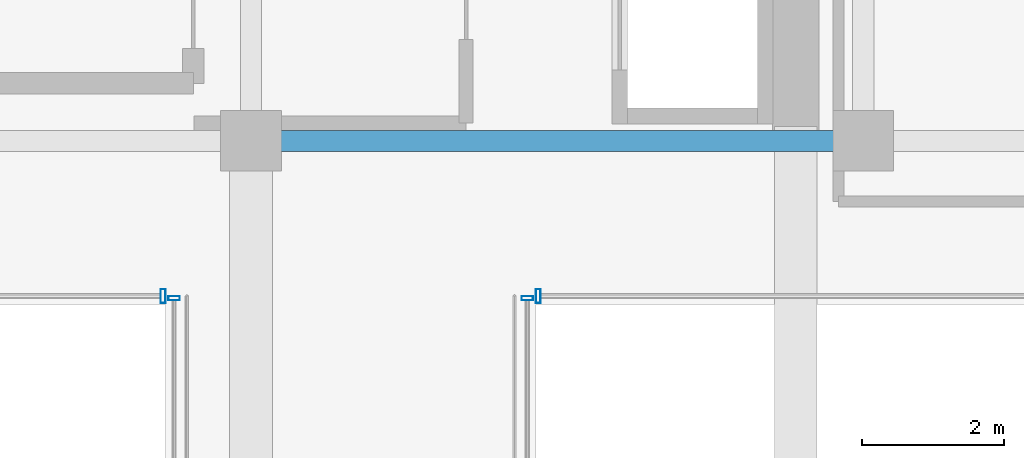
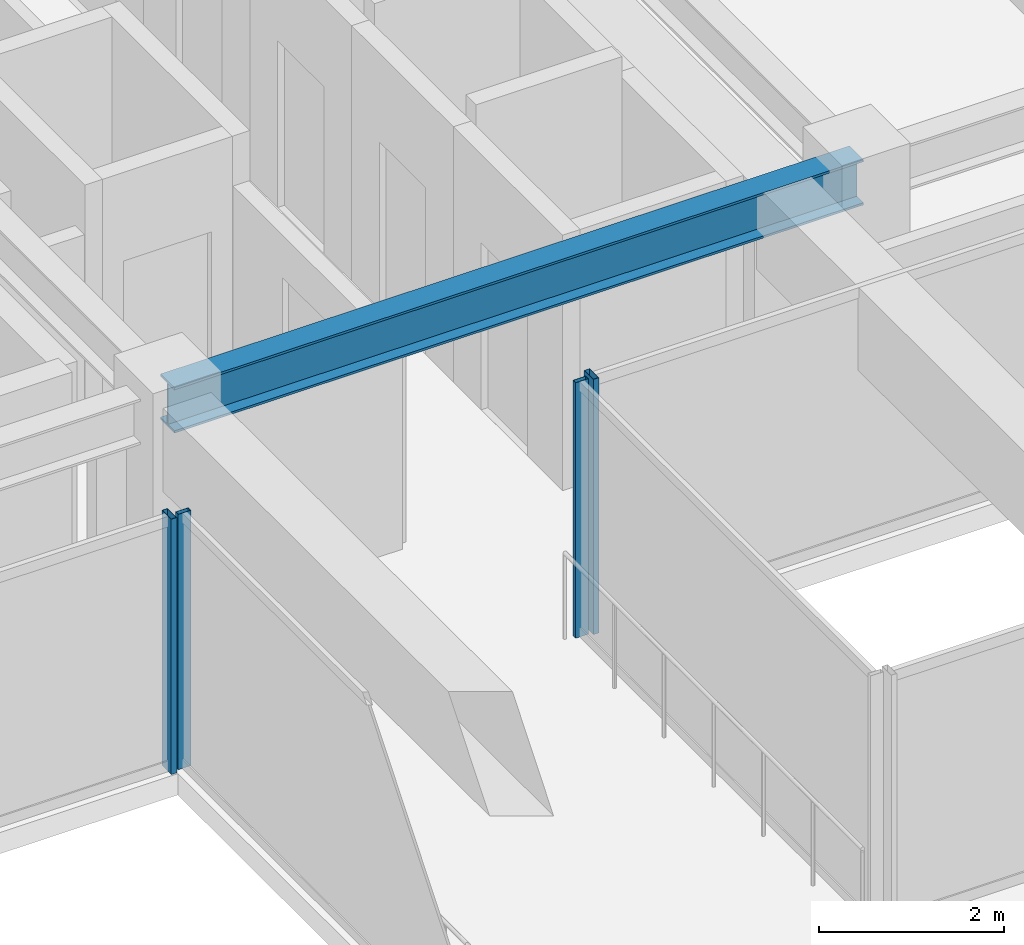
# One storey, part 28 of 43: 4 members, 1 beam, 4 elements without a shape of their own.
"""IFC4 building model written with IfcOpenShell, lengths in metres."""

from ifc_helpers import new_model, si_unit, direction, frame, origin, origin_2d, place, context, subcontext, project, spatial, hollow_rectangle, i_section, extrude, source, transform, mapped, material, material_profile, profile_set, type_object, element, aggregate, save


model = new_model("IFC4")

# Units and contexts
model_context = context("Model", 3, precision=1e-05, world=origin(), true_north=direction((0.0, 1.0)))
body_context = subcontext(model_context, "Body", "Model", "MODEL_VIEW")
ifc_project = project(units=[si_unit("LENGTHUNIT", "METRE"), si_unit("AREAUNIT", "SQUARE_METRE"), si_unit("VOLUMEUNIT", "CUBIC_METRE"), si_unit("PLANEANGLEUNIT", "RADIAN"), si_unit("MASSUNIT", "GRAM", prefix="KILO")], contexts=[model_context])

# Site, building, storey
site_placement = place(None, origin())
site = spatial("IfcSite", under=ifc_project, at=site_placement, CompositionType="ELEMENT")
building_placement = place(site_placement, origin())
building = spatial("IfcBuilding", under=site, at=building_placement, Name="Nahalor Promenade Grand Hotel", CompositionType="ELEMENT")
storey_placement = place(building_placement, frame((0.0, 0.0, 57.949951171875)))
storey = spatial("IfcBuildingStorey", under=building, at=storey_placement, Name="L13", CompositionType="ELEMENT", Elevation=57.949951171875)

# Beam
ifc_material_1 = material(Name="Steel S355JR", Category="steel")
ifc_material_profile_1 = material_profile(ifc_material_1, i_section(OverallWidth=0.3, OverallDepth=0.6, WebThickness=0.0155, FlangeThickness=0.03, at=origin_2d()), Name="HEB 600")
ifc_profile_set_1 = profile_set([ifc_material_profile_1], Name="Steel S355JR")
beam_type = type_object("IfcBeamType", Name="Beam-Girder-HEB600", PredefinedType="BEAM", material=ifc_profile_set_1)
shared_shape_1 = source(origin(), body_context, "Body", "SweptSolid", [
    extrude(i_section(OverallWidth=0.3, OverallDepth=0.6, WebThickness=0.0155, FlangeThickness=0.03, at=origin_2d()), origin(), (0.0, 0.0, 1.0), 8.60009765625),
])
beam_placement = place(storey_placement, frame((8.39990234375, 5.39990234375, 3.070068359375), z_axis=(1.0, 0.0, 0.0), x_axis=(0.0, 1.0, 0.0)))
element("IfcBeam", 1, at=beam_placement, inside=storey, type_object=beam_type, Name="BM-L13-GX-2-5", PredefinedType="BEAM", context=body_context, shape_type="MappedRepresentation", body=[
    mapped(shared_shape_1, transform((0.0, 0.0, 0.0), scale=1.0)),
])

# Curtain wall, member
ifc_material_2 = material(Name="Anodised Bronze Aluminium EN AW-6063 T6", Category="aluminium")
curtain_wall_type_1 = type_object("IfcCurtainWallType", Name="CW3 Elliptical-Void Collar Unitised Curtain Wall", PredefinedType="USERDEFINED", material=ifc_material_2)
curtain_wall_1_placement = place(storey_placement, origin())
curtain_wall_1 = element("IfcCurtainWall", 2, at=curtain_wall_1_placement, inside=storey, type_object=curtain_wall_type_1, Name="L13 Curtain Wall CW-L13-VOID-WN1", ObjectType="UNITISED_CURTAIN_WALL", PredefinedType="USERDEFINED")
ifc_material_profile_2 = material_profile(ifc_material_2, hollow_rectangle(XDim=0.07, YDim=0.2, WallThickness=0.005, at=origin_2d()), Name="CWM 70x200x5")
ifc_profile_set_2 = profile_set([ifc_material_profile_2], Name="Anodised Bronze Aluminium EN AW-6063 T6")
member_type_1 = type_object("IfcMemberType", Name="CWM3 Void Collar Mullion 70x200", PredefinedType="MULLION", material=ifc_profile_set_2)
shared_shape_2 = source(origin(), body_context, "Body", "SweptSolid", [
    extrude(hollow_rectangle(XDim=0.07, YDim=0.2, WallThickness=0.005, at=origin_2d()), origin(), (0.0, 0.0, 1.0), 3.3701171875),
])
member_1_placement = place(storey_placement, frame((7.1650390625, 3.219970703125, 0.0), z_axis=(0.0, 0.0, 1.0), x_axis=(1.0, 0.0, 0.0)))
member_1 = element("IfcMember", 3, at=member_1_placement, type_object=member_type_1, Name="CW-L13-VOID-WN1 Mullion 3", PredefinedType="MULLION", context=body_context, shape_type="MappedRepresentation", body=[
    mapped(shared_shape_2, transform((0.0, 0.0, 0.0), scale=1.0)),
])
aggregate(curtain_wall_1, [member_1])

curtain_wall_2_placement = place(storey_placement, origin())
curtain_wall_2 = element("IfcCurtainWall", 4, at=curtain_wall_2_placement, inside=storey, type_object=curtain_wall_type_1, Name="L13 Curtain Wall CW-L13-VOID-EN1", ObjectType="UNITISED_CURTAIN_WALL", PredefinedType="USERDEFINED")
member_2_placement = place(storey_placement, frame((12.43505859375, 3.219970703125, 0.0), z_axis=(0.0, 0.0, 1.0), x_axis=(1.0, 0.0, 0.0)))
member_2 = element("IfcMember", 5, at=member_2_placement, type_object=member_type_1, Name="CW-L13-VOID-EN1 Mullion 0", PredefinedType="MULLION", context=body_context, shape_type="MappedRepresentation", body=[
    mapped(shared_shape_2, transform((0.0, 0.0, 0.0), scale=1.0)),
])
aggregate(curtain_wall_2, [member_2])

curtain_wall_type_2 = type_object("IfcCurtainWallType", Name="CW4 Low-Iron Sky-Gallery Bridge Curtain Wall", PredefinedType="USERDEFINED", material=ifc_material_2)
curtain_wall_3_placement = place(storey_placement, origin())
curtain_wall_3 = element("IfcCurtainWall", 6, at=curtain_wall_3_placement, inside=storey, type_object=curtain_wall_type_2, Name="L13 Curtain Wall CW-L13-BRG-W", ObjectType="UNITISED_CURTAIN_WALL", PredefinedType="USERDEFINED")
ifc_material_profile_3 = material_profile(ifc_material_2, hollow_rectangle(XDim=0.06, YDim=0.16, WallThickness=0.004, at=origin_2d()), Name="CWM 60x160x4")
ifc_profile_set_3 = profile_set([ifc_material_profile_3], Name="Anodised Bronze Aluminium EN AW-6063 T6")
member_type_2 = type_object("IfcMemberType", Name="CWM4 Sky-Gallery Slim Mullion 60x160", PredefinedType="MULLION", material=ifc_profile_set_3)
shared_shape_3 = source(origin(), body_context, "Body", "SweptSolid", [
    extrude(hollow_rectangle(XDim=0.06, YDim=0.16, WallThickness=0.004, at=origin_2d()), origin(), (0.0, 0.0, 1.0), 3.3701171875),
])
member_3_placement = place(storey_placement, frame((7.320068359375, 3.18994140625, 0.0), z_axis=(0.0, 0.0, 1.0), x_axis=(0.0, 1.0, 0.0)))
member_3 = element("IfcMember", 7, at=member_3_placement, type_object=member_type_2, Name="CW-L13-BRG-W Mullion 1", PredefinedType="MULLION", context=body_context, shape_type="MappedRepresentation", body=[
    mapped(shared_shape_3, transform((0.0, 0.0, 0.0), scale=1.0)),
])
aggregate(curtain_wall_3, [member_3])

curtain_wall_4_placement = place(storey_placement, origin())
curtain_wall_4 = element("IfcCurtainWall", 8, at=curtain_wall_4_placement, inside=storey, type_object=curtain_wall_type_2, Name="L13 Curtain Wall CW-L13-BRG-E", ObjectType="UNITISED_CURTAIN_WALL", PredefinedType="USERDEFINED")
member_4_placement = place(storey_placement, frame((12.280029296875, 3.18994140625, 0.0), z_axis=(0.0, 0.0, 1.0), x_axis=(0.0, 1.0, 0.0)))
member_4 = element("IfcMember", 9, at=member_4_placement, type_object=member_type_2, Name="CW-L13-BRG-E Mullion 1", PredefinedType="MULLION", context=body_context, shape_type="MappedRepresentation", body=[
    mapped(shared_shape_3, transform((0.0, 0.0, 0.0), scale=1.0)),
])
aggregate(curtain_wall_4, [member_4])

save(model, "model.ifc")
